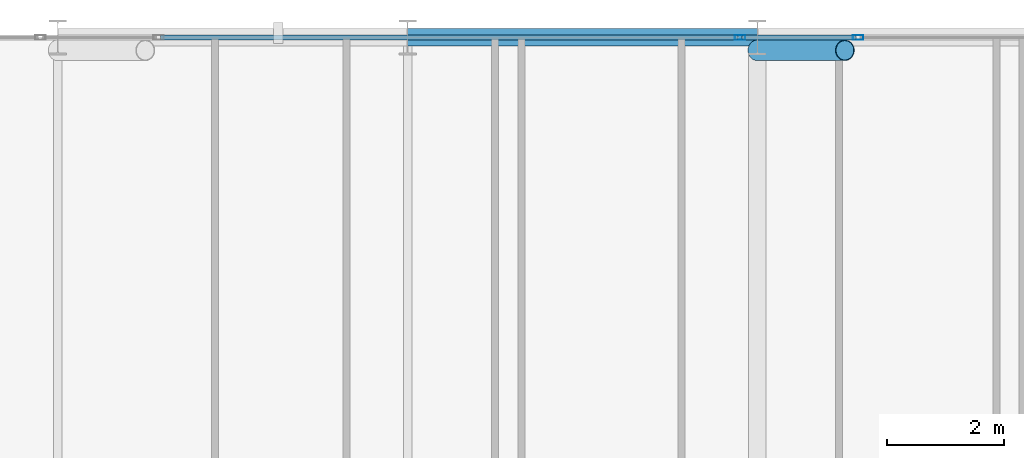
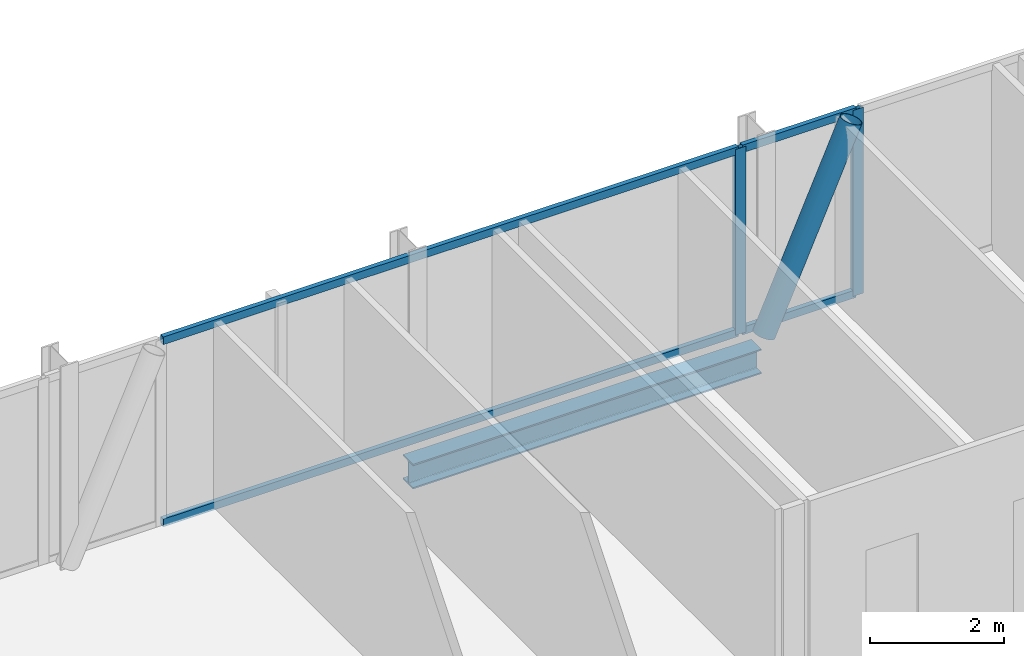
# One storey, part 17 of 29: 7 members, 1 beam, 2 elements without a shape of their own.
"""IFC4 building model written with IfcOpenShell, lengths in metres."""

from ifc_helpers import new_model, si_unit, direction, frame, origin, origin_2d, place, context, subcontext, project, spatial, hollow_rectangle, hollow_circle, i_section, extrude, material, layer, layer_set, material_profile, profile_set, type_object, element, aggregate, save


model = new_model("IFC4")

# Units and contexts
model_context = context("Model", 3, precision=1e-05, world=origin(), true_north=direction((0.0, 1.0)))
body_context = subcontext(model_context, "Body", "Model", "MODEL_VIEW")
ifc_project = project(units=[si_unit("LENGTHUNIT", "METRE"), si_unit("AREAUNIT", "SQUARE_METRE"), si_unit("VOLUMEUNIT", "CUBIC_METRE"), si_unit("PLANEANGLEUNIT", "RADIAN"), si_unit("MASSUNIT", "GRAM", prefix="KILO")], contexts=[model_context])

# Site, building, storey
site_placement = place(None, origin())
site = spatial("IfcSite", under=ifc_project, at=site_placement, CompositionType="ELEMENT")
building_placement = place(site_placement, origin())
building = spatial("IfcBuilding", under=site, at=building_placement, Name="Keshet Zoharim Tower", CompositionType="ELEMENT")
storey_placement = place(building_placement, frame((0.0, 0.0, 94.60009765625)))
storey = spatial("IfcBuildingStorey", under=building, at=storey_placement, Name="L22", CompositionType="ELEMENT", Elevation=94.60009765625)

# Beam
ifc_material_1 = material(Name="Steel S355", Category="steel")
ifc_material_profile_1 = material_profile(ifc_material_1, i_section(OverallWidth=0.300048828125, OverallDepth=0.449951171875, WebThickness=0.013916015625, FlangeThickness=0.02587890625, FilletRadius=0.027099609375, at=origin_2d()), Name="HEB450")
ifc_profile_set_1 = profile_set([ifc_material_profile_1], Name="Steel S355")
beam_type = type_object("IfcBeamType", Name="BM-WEB-HB450", PredefinedType="BEAM", material=ifc_profile_set_1)
beam_placement = place(storey_placement, frame((27.0, 53.89990234375, -0.5400390625), z_axis=(1.0, 0.0, 0.0), x_axis=(0.0, 1.0, 0.0)))
element("IfcBeam", 1, at=beam_placement, inside=storey, type_object=beam_type, Name="L22 Primary Girder X-020", PredefinedType="BEAM", context=body_context, shape_type="SweptSolid", body=[
    extrude(i_section(OverallWidth=0.300048828125, OverallDepth=0.449951171875, WebThickness=0.013916015625, FlangeThickness=0.02587890625, FilletRadius=0.027099609375, at=origin_2d()), origin(), (0.0, 0.0, 1.0), 6.0),
])

# Curtain wall, member
ifc_material_2 = material(Name="Aluminium 6063-T6", Category="aluminium")
ifc_layer = layer(ifc_material_2, 0.159912109375)
ifc_layer_set = layer_set([ifc_layer], Name="Aluminium 6063-T6")
curtain_wall_type = type_object("IfcCurtainWallType", Name="CW-SYS-03", PredefinedType="NOTDEFINED", material=ifc_layer_set)
curtain_wall_1_placement = place(storey_placement, origin())
curtain_wall_1 = element("IfcCurtainWall", 2, at=curtain_wall_1_placement, inside=storey, type_object=curtain_wall_type, Name="L22 Unitised Curtain Wall 13 Part 3", PredefinedType="NOTDEFINED")
ifc_material_profile_2 = material_profile(ifc_material_2, hollow_rectangle(XDim=0.080078125, YDim=0.179931640625, WallThickness=0.00439453125, at=origin_2d()), Name="MUL-80x180")
ifc_profile_set_2 = profile_set([ifc_material_profile_2], Name="Aluminium 6063-T6")
member_type_1 = type_object("IfcMemberType", Name="CWM-M18", PredefinedType="MULLION", material=ifc_profile_set_2)
member_1_placement = place(storey_placement, frame((32.702392578125, 53.89990234375, 0.0), z_axis=(0.0, 0.0, 1.0), x_axis=(0.0, 1.0, 0.0)))
member_1 = element("IfcMember", 3, at=member_1_placement, type_object=member_type_1, Name="CW-03 mullion 2", PredefinedType="MULLION", context=body_context, shape_type="SweptSolid", body=[
    extrude(hollow_rectangle(XDim=0.080078125, YDim=0.179931640625, WallThickness=0.00439453125, at=origin_2d()), origin(), (0.0, 0.0, 1.0), 3.385009765625),
])

curtain_wall_2_placement = place(storey_placement, origin())
curtain_wall_2 = element("IfcCurtainWall", 4, at=curtain_wall_2_placement, inside=storey, type_object=curtain_wall_type, Name="L22 Unitised Curtain Wall 13 Part 4", PredefinedType="NOTDEFINED")
member_2_placement = place(storey_placement, frame((34.7275390625, 53.89990234375, 0.0), z_axis=(0.0, 0.0, 1.0), x_axis=(0.0, 1.0, 0.0)))
member_2 = element("IfcMember", 5, at=member_2_placement, type_object=member_type_1, Name="CW-03 mullion 2", PredefinedType="MULLION", context=body_context, shape_type="SweptSolid", body=[
    extrude(hollow_rectangle(XDim=0.080078125, YDim=0.179931640625, WallThickness=0.00439453125, at=origin_2d()), origin(), (0.0, 0.0, 1.0), 3.385009765625),
])

# Member
ifc_material_profile_3 = material_profile(ifc_material_2, hollow_rectangle(XDim=0.080078125, YDim=0.139892578125, WallThickness=0.00390625, at=origin_2d()), Name="TRN-80x140")
ifc_profile_set_3 = profile_set([ifc_material_profile_3], Name="Aluminium 6063-T6")
member_type_2 = type_object("IfcMemberType", Name="CWT-T14", PredefinedType="USERDEFINED", material=ifc_profile_set_3)
member_3_placement = place(storey_placement, frame((22.7626953125, 53.89990234375, 0.034912109375), z_axis=(1.0, 0.0, 0.0), x_axis=(0.0, 1.0, 0.0)))
member_3 = element("IfcMember", 6, at=member_3_placement, type_object=member_type_2, Name="CW-03 transom 1.1", ObjectType="TRANSOM", PredefinedType="USERDEFINED", context=body_context, shape_type="SweptSolid", body=[
    extrude(hollow_rectangle(XDim=0.080078125, YDim=0.139892578125, WallThickness=0.00390625, at=origin_2d()), origin(), (0.0, 0.0, 1.0), 9.90478515625),
])

member_4_placement = place(storey_placement, frame((22.7626953125, 53.89990234375, 3.349853515625), z_axis=(1.0, 0.0, 0.0), x_axis=(0.0, 1.0, 0.0)))
member_4 = element("IfcMember", 7, at=member_4_placement, type_object=member_type_2, Name="CW-03 transom 1.2", ObjectType="TRANSOM", PredefinedType="USERDEFINED", context=body_context, shape_type="SweptSolid", body=[
    extrude(hollow_rectangle(XDim=0.080078125, YDim=0.139892578125, WallThickness=0.00390625, at=origin_2d()), origin(), (0.0, 0.0, 1.0), 9.90478515625),
])

aggregate(curtain_wall_1, [member_1, member_3, member_4])

member_5_placement = place(storey_placement, frame((32.7373046875, 53.89990234375, 0.034912109375), z_axis=(1.0, 0.0, 0.0), x_axis=(0.0, 1.0, 0.0)))
member_5 = element("IfcMember", 8, at=member_5_placement, type_object=member_type_2, Name="CW-03 transom 1.1", ObjectType="TRANSOM", PredefinedType="USERDEFINED", context=body_context, shape_type="SweptSolid", body=[
    extrude(hollow_rectangle(XDim=0.080078125, YDim=0.139892578125, WallThickness=0.00390625, at=origin_2d()), origin(), (0.0, 0.0, 1.0), 1.955322265625),
])

member_6_placement = place(storey_placement, frame((32.7373046875, 53.89990234375, 3.349853515625), z_axis=(1.0, 0.0, 0.0), x_axis=(0.0, 1.0, 0.0)))
member_6 = element("IfcMember", 9, at=member_6_placement, type_object=member_type_2, Name="CW-03 transom 1.2", ObjectType="TRANSOM", PredefinedType="USERDEFINED", context=body_context, shape_type="SweptSolid", body=[
    extrude(hollow_rectangle(XDim=0.080078125, YDim=0.139892578125, WallThickness=0.00390625, at=origin_2d()), origin(), (0.0, 0.0, 1.0), 1.955322265625),
])

aggregate(curtain_wall_2, [member_2, member_5, member_6])

ifc_material_profile_4 = material_profile(ifc_material_1, hollow_circle(Radius=0.177734375, WallThickness=0.012451171875, at=origin_2d()), Name="CHS355x12.5")
ifc_profile_set_4 = profile_set([ifc_material_profile_4], Name="Steel S355")
member_type_3 = type_object("IfcMemberType", Name="MB-BR-C355", PredefinedType="BRACE", material=ifc_profile_set_4)
member_7_placement = place(storey_placement, frame((33.0, 53.679931640625, 0.0), z_axis=(0.405134846829, 0.0, 0.91425694194), x_axis=(0.0, 1.0, 0.0)))
element("IfcMember", 10, at=member_7_placement, inside=storey, type_object=member_type_3, Name="L22 Perimeter Tube Brace 03", PredefinedType="BRACE", context=body_context, shape_type="SweptSolid", body=[
    extrude(hollow_circle(Radius=0.177734375, WallThickness=0.012451171875, at=origin_2d()), origin(), (0.0, 0.0, 1.0), 3.702392578125),
])

save(model, "model.ifc")
